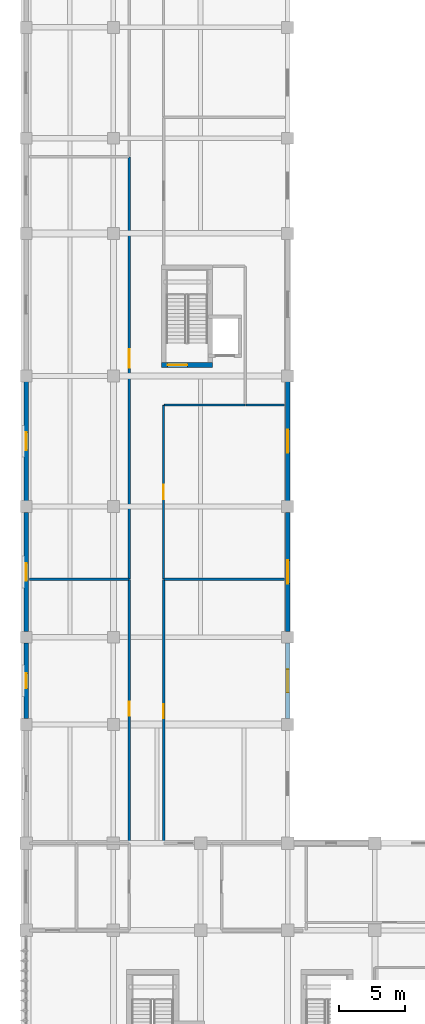
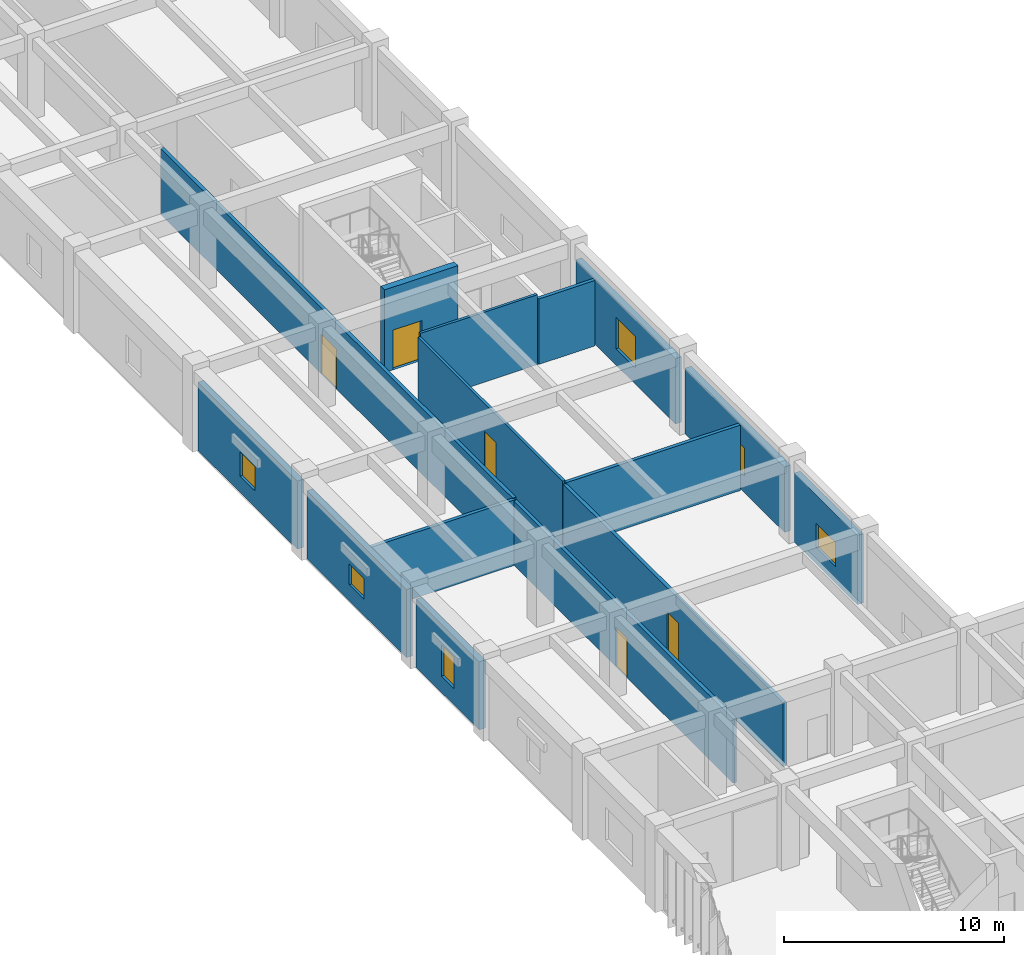
# One storey, part 50 of 68: 15 walls, 6 windows, 5 doors, 11 openings.
"""IFC4 building model written with IfcOpenShell, lengths in metres."""

from ifc_helpers import new_model, si_unit, direction, frame, frame_2d, origin, place, context, subcontext, project, spatial, rectangle, extrude, material, layer, layer_set, type_object, element, fill, save


model = new_model("IFC4")

# Units and contexts
model_context = context("Model", 3, precision=1e-05, world=origin(), true_north=direction((0.0, 1.0)))
body_context = subcontext(model_context, "Body", "Model", "MODEL_VIEW")
ifc_project = project(units=[si_unit("LENGTHUNIT", "METRE"), si_unit("AREAUNIT", "SQUARE_METRE"), si_unit("VOLUMEUNIT", "CUBIC_METRE"), si_unit("PLANEANGLEUNIT", "RADIAN"), si_unit("MASSUNIT", "GRAM", prefix="KILO")], contexts=[model_context])

# Site, building, storey
site_placement = place(None, origin())
site = spatial("IfcSite", under=ifc_project, at=site_placement, CompositionType="ELEMENT")
building_placement = place(site_placement, origin())
building = spatial("IfcBuilding", under=site, at=building_placement, Name="Miralva Faculty of Natural Sciences", CompositionType="ELEMENT")
storey_placement = place(building_placement, frame((0.0, 0.0, 5.39990234375)))
storey = spatial("IfcBuildingStorey", under=building, at=storey_placement, Name="L01", CompositionType="ELEMENT", Elevation=5.39990234375)

# Wall, opening, door
ifc_material_1 = material(Name="Concrete C50/60", Category="concrete")
ifc_layer_1 = layer(ifc_material_1, 0.35009765625, Name="WL-CW02")
ifc_layer_set_1 = layer_set([ifc_layer_1], Name="Concrete C50/60")
wall_type_1 = type_object("IfcWallType", Name="WL-CW02", PredefinedType="SHEAR", material=ifc_layer_set_1)
wall_1_placement = place(storey_placement, frame((13.25, 66.22509765625, 0.0), z_axis=(0.0, 0.0, 1.0), x_axis=(1.0, 0.0, 0.0)))
wall_1 = element("IfcWall", 1, at=wall_1_placement, inside=storey, type_object=wall_type_1, Name="Core C2 shear wall south L01", PredefinedType="SHEAR", context=body_context, shape_type="SweptSolid", body=[
    extrude(rectangle(XDim=3.85009765625, YDim=0.35009765625, at=frame_2d((1.925048828125, 0.0))), origin(), (0.0, 0.0, 1.0), 4.580078125),
])
opening_1_placement = place(wall_1_placement, frame((0.449951171875, 0.0, 0.0)))
opening_1 = element("IfcOpeningElement", 2, at=opening_1_placement, cuts=wall_1, Name="Opening D-11", PredefinedType="OPENING", context=body_context, shape_type="SweptSolid", body=[
    extrude(rectangle(XDim=1.5, YDim=2.199951171875, at=frame_2d((0.75, 1.10009765625))), frame((0.0, 0.18505859375, 0.0), z_axis=(0.0, -1.0, 0.0), x_axis=(1.0, 0.0, 0.0)), (0.0, 0.0, 1.0), 0.3701171875),
])
ifc_material_2 = material(Name="Galvanised steel", Category="steel")
door_type_1 = type_object("IfcDoorType", Name="DR-DI11", OperationType="DOUBLE_DOOR_SINGLE_SWING", PredefinedType="DOOR", material=ifc_material_2)
door_1_placement = place(opening_1_placement, frame((1.5, 0.0, 0.0), z_axis=(0.0, 0.0, 1.0), x_axis=(-1.0, 0.0, 0.0)))
door_1 = element("IfcDoor", 3, at=door_1_placement, inside=storey, type_object=door_type_1, Name="Protected exit stair door Core C2 L01", OperationType="DOUBLE_DOOR_SINGLE_SWING", OverallHeight=2.199951171875, OverallWidth=1.5, PredefinedType="DOOR", context=body_context, shape_type="SweptSolid", body=[
    extrude(rectangle(XDim=1.5, YDim=2.199951171875, at=frame_2d((0.75, 1.10009765625))), frame((0.0, 0.02490234375, 0.0), z_axis=(0.0, -1.0, 0.0), x_axis=(1.0, 0.0, 0.0)), (0.0, 0.0, 1.0), 0.050048828125),
])
fill(opening_1, door_1)

# Wall
ifc_material_3 = material(Name="Gypsum plasterboard")
ifc_layer_2 = layer(ifc_material_3, 0.179931640625, Name="WL-PT02")
ifc_layer_set_2 = layer_set([ifc_layer_2], Name="Gypsum plasterboard")
wall_type_2 = type_object("IfcWallType", Name="WL-PT02", PredefinedType="PARTITIONING", material=ifc_layer_set_2)
wall_2_placement = place(storey_placement, frame((3.22998046875, 50.0, 0.0), z_axis=(0.0, 0.0, 1.0), x_axis=(1.0, 0.0, 0.0)))
element("IfcWall", 4, at=wall_2_placement, inside=storey, type_object=wall_type_2, Name="Interior partition PT-02 L01-217", PredefinedType="PARTITIONING", context=body_context, shape_type="SweptSolid", body=[
    extrude(rectangle(XDim=7.5400390625, YDim=0.179931640625, at=frame_2d((3.77001953125, 0.0))), origin(), (0.0, 0.0, 1.0), 3.625),
])

# Wall, opening, door
wall_3_placement = place(storey_placement, frame((10.800048828125, 30.030029296875, 0.0), z_axis=(0.0, 0.0, 1.0), x_axis=(0.0, 1.0, 0.0)))
wall_3 = element("IfcWall", 5, at=wall_3_placement, inside=storey, type_object=wall_type_2, Name="Interior partition PT-02 L01-218", PredefinedType="PARTITIONING", context=body_context, shape_type="SweptSolid", body=[
    extrude(rectangle(XDim=19.93994140625, YDim=0.179931640625, at=frame_2d((9.969970703125, 0.0))), origin(), (0.0, 0.0, 1.0), 3.55517578125),
])
opening_2_placement = place(wall_3_placement, frame((9.625, 0.0, 0.0)))
opening_2 = element("IfcOpeningElement", 6, at=opening_2_placement, cuts=wall_3, Name="Opening D-15", PredefinedType="OPENING", context=body_context, shape_type="SweptSolid", body=[
    extrude(rectangle(XDim=1.050048828125, YDim=2.199951171875, at=frame_2d((0.52490234375, 1.10009765625))), frame((0.0, 0.099853515625, 0.0), z_axis=(0.0, -1.0, 0.0), x_axis=(1.0, 0.0, 0.0)), (0.0, 0.0, 1.0), 0.199951171875),
])
door_type_2 = type_object("IfcDoorType", Name="DR-DI15", OperationType="NOTDEFINED", PredefinedType="DOOR", material=ifc_material_2)
door_2_placement = place(opening_2_placement, origin())
door_2 = element("IfcDoor", 7, at=door_2_placement, inside=storey, type_object=door_type_2, Name="Interior door D-15 L01-81", OperationType="SINGLE_SWING_LEFT", OverallHeight=2.199951171875, OverallWidth=1.050048828125, PredefinedType="DOOR", context=body_context, shape_type="SweptSolid", body=[
    extrude(rectangle(XDim=1.050048828125, YDim=2.199951171875, at=frame_2d((0.52490234375, 1.10009765625))), frame((0.0, 0.02490234375, 0.0), z_axis=(0.0, -1.0, 0.0), x_axis=(1.0, 0.0, 0.0)), (0.0, 0.0, 1.0), 0.050048828125),
])
fill(opening_2, door_2)

# Wall
wall_4_placement = place(storey_placement, frame((13.429931640625, 50.0, 0.0), z_axis=(0.0, 0.0, 1.0), x_axis=(1.0, 0.0, 0.0)))
element("IfcWall", 8, at=wall_4_placement, inside=storey, type_object=wall_type_2, Name="Interior partition PT-02 L01-219", PredefinedType="PARTITIONING", context=body_context, shape_type="SweptSolid", body=[
    extrude(rectangle(XDim=9.14013671875, YDim=0.179931640625, at=frame_2d((4.570068359375, 0.0))), origin(), (0.0, 0.0, 1.0), 3.625),
])

# Wall, opening, door
wall_5_placement = place(storey_placement, frame((13.39990234375, 30.030029296875, 0.0), z_axis=(0.0, 0.0, 1.0), x_axis=(0.0, 1.0, 0.0)))
wall_5 = element("IfcWall", 9, at=wall_5_placement, inside=storey, type_object=wall_type_2, Name="Interior partition PT-02 L01-220", PredefinedType="PARTITIONING", context=body_context, shape_type="SweptSolid", body=[
    extrude(rectangle(XDim=19.93994140625, YDim=0.179931640625, at=frame_2d((9.969970703125, 0.0))), origin(), (0.0, 0.0, 1.0), 3.55517578125),
])
opening_3_placement = place(wall_5_placement, frame((9.445068359375, 0.0, 0.0)))
opening_3 = element("IfcOpeningElement", 10, at=opening_3_placement, cuts=wall_5, Name="Opening D-15", PredefinedType="OPENING", context=body_context, shape_type="SweptSolid", body=[
    extrude(rectangle(XDim=1.050048828125, YDim=2.199951171875, at=frame_2d((0.52490234375, 1.10009765625))), frame((0.0, 0.099853515625, 0.0), z_axis=(0.0, -1.0, 0.0), x_axis=(1.0, 0.0, 0.0)), (0.0, 0.0, 1.0), 0.199951171875),
])
door_3_placement = place(opening_3_placement, origin())
door_3 = element("IfcDoor", 11, at=door_3_placement, inside=storey, type_object=door_type_2, Name="Interior door D-15 L01-82", OperationType="SINGLE_SWING_RIGHT", OverallHeight=2.199951171875, OverallWidth=1.050048828125, PredefinedType="DOOR", context=body_context, shape_type="SweptSolid", body=[
    extrude(rectangle(XDim=1.050048828125, YDim=2.199951171875, at=frame_2d((0.52490234375, 1.10009765625))), frame((0.0, 0.02490234375, 0.0), z_axis=(0.0, -1.0, 0.0), x_axis=(1.0, 0.0, 0.0)), (0.0, 0.0, 1.0), 0.050048828125),
])
fill(opening_3, door_3)

# Wall
wall_6_placement = place(storey_placement, frame((19.6298828125, 63.199951171875, 0.0), z_axis=(0.0, 0.0, 1.0), x_axis=(1.0, 0.0, 0.0)))
element("IfcWall", 12, at=wall_6_placement, inside=storey, type_object=wall_type_2, Name="Interior partition PT-02 L01-221", PredefinedType="PARTITIONING", context=body_context, shape_type="SweptSolid", body=[
    extrude(rectangle(XDim=2.940185546875, YDim=0.179931640625, at=frame_2d((1.47021484375, 0.0))), origin(), (0.0, 0.0, 1.0), 3.625),
])

# Wall, opening, door
wall_7_placement = place(storey_placement, frame((10.800048828125, 50.030029296875, 0.0), z_axis=(0.0, 0.0, 1.0), x_axis=(0.0, 1.0, 0.0)))
wall_7 = element("IfcWall", 13, at=wall_7_placement, inside=storey, type_object=wall_type_2, Name="Interior partition PT-02 L01-225", PredefinedType="PARTITIONING", context=body_context, shape_type="SweptSolid", body=[
    extrude(rectangle(XDim=31.93994140625, YDim=0.179931640625, at=frame_2d((15.969970703125, 0.0))), origin(), (0.0, 0.0, 1.0), 3.655029296875),
])
opening_4_placement = place(wall_7_placement, frame((15.989990234375, 0.0, 0.0)))
opening_4 = element("IfcOpeningElement", 14, at=opening_4_placement, cuts=wall_7, Name="Opening D-14", PredefinedType="OPENING", context=body_context, shape_type="SweptSolid", body=[
    extrude(rectangle(XDim=1.39990234375, YDim=2.199951171875, at=frame_2d((0.699951171875, 1.10009765625))), frame((0.0, 0.099853515625, 0.0), z_axis=(0.0, -1.0, 0.0), x_axis=(1.0, 0.0, 0.0)), (0.0, 0.0, 1.0), 0.199951171875),
])
door_type_3 = type_object("IfcDoorType", Name="DR-DI14", OperationType="DOUBLE_DOOR_SINGLE_SWING", PredefinedType="DOOR", material=ifc_material_2)
door_4_placement = place(opening_4_placement, origin())
door_4 = element("IfcDoor", 15, at=door_4_placement, inside=storey, type_object=door_type_3, Name="Interior door D-14 L01-84", OperationType="DOUBLE_DOOR_SINGLE_SWING", OverallHeight=2.199951171875, OverallWidth=1.39990234375, PredefinedType="DOOR", context=body_context, shape_type="SweptSolid", body=[
    extrude(rectangle(XDim=1.39990234375, YDim=2.199951171875, at=frame_2d((0.699951171875, 1.10009765625))), frame((0.0, 0.02490234375, 0.0), z_axis=(0.0, -1.0, 0.0), x_axis=(1.0, 0.0, 0.0)), (0.0, 0.0, 1.0), 0.050048828125),
])
fill(opening_4, door_4)

ifc_layer_3 = layer(ifc_material_3, 0.139892578125, Name="WL-PT04")
ifc_layer_set_3 = layer_set([ifc_layer_3], Name="Gypsum plasterboard")
wall_type_3 = type_object("IfcWallType", Name="WL-PT04", PredefinedType="PARTITIONING", material=ifc_layer_set_3)
wall_8_placement = place(storey_placement, frame((13.39990234375, 50.030029296875, 0.0), z_axis=(0.0, 0.0, 1.0), x_axis=(0.0, 1.0, 0.0)))
wall_8 = element("IfcWall", 16, at=wall_8_placement, inside=storey, type_object=wall_type_3, Name="Interior partition PT-04 L01-222", PredefinedType="PARTITIONING", context=body_context, shape_type="SweptSolid", body=[
    extrude(rectangle(XDim=13.139892578125, YDim=0.139892578125, at=frame_2d((6.56982421875, 0.0))), origin(), (0.0, 0.0, 1.0), 3.675048828125),
])
opening_5_placement = place(wall_8_placement, frame((6.030029296875, 0.0, 0.0)))
opening_5 = element("IfcOpeningElement", 17, at=opening_5_placement, cuts=wall_8, Name="Opening D-32", PredefinedType="OPENING", context=body_context, shape_type="SweptSolid", body=[
    extrude(rectangle(XDim=1.080078125, YDim=2.14990234375, at=frame_2d((0.5400390625, 1.074951171875))), frame((0.0, 0.079833984375, 0.0), z_axis=(0.0, -1.0, 0.0), x_axis=(1.0, 0.0, 0.0)), (0.0, 0.0, 1.0), 0.159912109375),
])
ifc_material_4 = material(Name="Anodised aluminium", Category="aluminium")
door_type_4 = type_object("IfcDoorType", Name="DR-DI32", OperationType="NOTDEFINED", PredefinedType="DOOR", material=ifc_material_4)
door_5_placement = place(opening_5_placement, origin())
door_5 = element("IfcDoor", 18, at=door_5_placement, inside=storey, type_object=door_type_4, Name="Interior door D-32 L01-83", OperationType="SINGLE_SWING_LEFT", OverallHeight=2.14990234375, OverallWidth=1.080078125, PredefinedType="DOOR", context=body_context, shape_type="SweptSolid", body=[
    extrude(rectangle(XDim=1.080078125, YDim=2.14990234375, at=frame_2d((0.5400390625, 1.074951171875))), frame((0.0, 0.02490234375, 0.0), z_axis=(0.0, -1.0, 0.0), x_axis=(1.0, 0.0, 0.0)), (0.0, 0.0, 1.0), 0.050048828125),
])
fill(opening_5, door_5)

# Wall
wall_9_placement = place(storey_placement, frame((13.455078125, 63.199951171875, 0.0), z_axis=(0.0, 0.0, 1.0), x_axis=(1.0, 0.0, 0.0)))
element("IfcWall", 19, at=wall_9_placement, inside=storey, type_object=wall_type_3, Name="Interior partition PT-04 L01-223", PredefinedType="PARTITIONING", context=body_context, shape_type="SweptSolid", body=[
    extrude(rectangle(XDim=6.114990234375, YDim=0.139892578125, at=frame_2d((3.0576171875, 0.0))), origin(), (0.0, 0.0, 1.0), 3.875),
])

# Wall, opening, window
ifc_material_5 = material(Name="Precast concrete C40/50", Category="concrete")
ifc_layer_4 = layer(ifc_material_5, 0.320068359375, Name="WL-WT02")
ifc_layer_set_4 = layer_set([ifc_layer_4], Name="Precast concrete C40/50")
wall_type_4 = type_object("IfcWallType", Name="WL-WT02", PredefinedType="SOLIDWALL", material=ifc_layer_set_4)
wall_10_placement = place(storey_placement, frame((3.0, 39.43505859375, 0.0), z_axis=(0.0, 0.0, 1.0), x_axis=(0.0, 1.0, 0.0)))
wall_10 = element("IfcWall", 20, at=wall_10_placement, inside=storey, type_object=wall_type_4, Name="Exterior wall L01-178", PredefinedType="SOLIDWALL", context=body_context, shape_type="SweptSolid", body=[
    extrude(rectangle(XDim=5.72998046875, YDim=0.320068359375, at=frame_2d((2.864990234375, 0.0))), origin(), (0.0, 0.0, 1.0), 3.775146484375),
])
opening_6_placement = place(wall_10_placement, frame((2.2900390625, 0.0, 0.89990234375)))
opening_6 = element("IfcOpeningElement", 21, at=opening_6_placement, cuts=wall_10, Name="Opening W-52", PredefinedType="OPENING", context=body_context, shape_type="SweptSolid", body=[
    extrude(rectangle(XDim=1.14990234375, YDim=1.75, at=frame_2d((0.574951171875, 0.875))), frame((0.0, 0.169921875, 0.0), z_axis=(0.0, -1.0, 0.0), x_axis=(1.0, 0.0, 0.0)), (0.0, 0.0, 1.0), 0.340087890625),
])
ifc_material_6 = material(Name="Laminated solar-control glass", Category="glass")
window_type_1 = type_object("IfcWindowType", Name="WN-W52", PartitioningType="DOUBLE_PANEL_VERTICAL", PredefinedType="WINDOW", material=ifc_material_6)
window_1_placement = place(opening_6_placement, origin())
window_1 = element("IfcWindow", 22, at=window_1_placement, inside=storey, type_object=window_type_1, Name="Window W-52 L01-115", OverallHeight=1.75, OverallWidth=1.14990234375, PartitioningType="DOUBLE_PANEL_VERTICAL", PredefinedType="WINDOW", context=body_context, shape_type="SweptSolid", body=[
    extrude(rectangle(XDim=1.14990234375, YDim=1.75, at=frame_2d((0.574951171875, 0.875))), frame((0.0, 0.030029296875, 0.0), z_axis=(0.0, -1.0, 0.0), x_axis=(1.0, 0.0, 0.0)), (0.0, 0.0, 1.0), 0.06005859375),
])
fill(opening_6, window_1)

wall_11_placement = place(storey_placement, frame((3.0, 46.034912109375, 0.0), z_axis=(0.0, 0.0, 1.0), x_axis=(0.0, 1.0, 0.0)))
wall_11 = element("IfcWall", 23, at=wall_11_placement, inside=storey, type_object=wall_type_4, Name="Exterior wall L01-179", PredefinedType="SOLIDWALL", context=body_context, shape_type="SweptSolid", body=[
    extrude(rectangle(XDim=9.030029296875, YDim=0.320068359375, at=frame_2d((4.51513671875, 0.0))), origin(), (0.0, 0.0, 1.0), 3.775146484375),
])
opening_7_placement = place(wall_11_placement, frame((3.840087890625, 0.0, 0.89990234375)))
opening_7 = element("IfcOpeningElement", 24, at=opening_7_placement, cuts=wall_11, Name="Opening W-53", PredefinedType="OPENING", context=body_context, shape_type="SweptSolid", body=[
    extrude(rectangle(XDim=1.35009765625, YDim=1.14990234375, at=frame_2d((0.675048828125, 0.574951171875))), frame((0.0, 0.169921875, 0.0), z_axis=(0.0, -1.0, 0.0), x_axis=(1.0, 0.0, 0.0)), (0.0, 0.0, 1.0), 0.340087890625),
])
window_type_2 = type_object("IfcWindowType", Name="WN-W53", PartitioningType="DOUBLE_PANEL_VERTICAL", PredefinedType="WINDOW", material=ifc_material_6)
window_2_placement = place(opening_7_placement, origin())
window_2 = element("IfcWindow", 25, at=window_2_placement, inside=storey, type_object=window_type_2, Name="Window W-53 L01-116", OverallHeight=1.14990234375, OverallWidth=1.35009765625, PartitioningType="DOUBLE_PANEL_VERTICAL", PredefinedType="WINDOW", context=body_context, shape_type="SweptSolid", body=[
    extrude(rectangle(XDim=1.35009765625, YDim=1.14990234375, at=frame_2d((0.675048828125, 0.574951171875))), frame((0.0, 0.030029296875, 0.0), z_axis=(0.0, -1.0, 0.0), x_axis=(1.0, 0.0, 0.0)), (0.0, 0.0, 1.0), 0.06005859375),
])
fill(opening_7, window_2)

wall_12_placement = place(storey_placement, frame((3.0, 55.93505859375, 0.0), z_axis=(0.0, 0.0, 1.0), x_axis=(0.0, 1.0, 0.0)))
wall_12 = element("IfcWall", 26, at=wall_12_placement, inside=storey, type_object=wall_type_4, Name="Exterior wall L01-180", PredefinedType="SOLIDWALL", context=body_context, shape_type="SweptSolid", body=[
    extrude(rectangle(XDim=9.030029296875, YDim=0.320068359375, at=frame_2d((4.51513671875, 0.0))), origin(), (0.0, 0.0, 1.0), 3.775146484375),
])
opening_8_placement = place(wall_12_placement, frame((3.840087890625, 0.0, 0.89990234375)))
opening_8 = element("IfcOpeningElement", 27, at=opening_8_placement, cuts=wall_12, Name="Opening W-54", PredefinedType="OPENING", context=body_context, shape_type="SweptSolid", body=[
    extrude(rectangle(XDim=1.35009765625, YDim=1.35009765625, at=frame_2d((0.675048828125, 0.675048828125))), frame((0.0, 0.169921875, 0.0), z_axis=(0.0, -1.0, 0.0), x_axis=(1.0, 0.0, 0.0)), (0.0, 0.0, 1.0), 0.340087890625),
])
window_type_3 = type_object("IfcWindowType", Name="WN-W54", PartitioningType="DOUBLE_PANEL_VERTICAL", PredefinedType="WINDOW", material=ifc_material_6)
window_3_placement = place(opening_8_placement, origin())
window_3 = element("IfcWindow", 28, at=window_3_placement, inside=storey, type_object=window_type_3, Name="Window W-54 L01-117", OverallHeight=1.35009765625, OverallWidth=1.35009765625, PartitioningType="DOUBLE_PANEL_VERTICAL", PredefinedType="WINDOW", context=body_context, shape_type="SweptSolid", body=[
    extrude(rectangle(XDim=1.35009765625, YDim=1.35009765625, at=frame_2d((0.675048828125, 0.675048828125))), frame((0.0, 0.030029296875, 0.0), z_axis=(0.0, -1.0, 0.0), x_axis=(1.0, 0.0, 0.0)), (0.0, 0.0, 1.0), 0.06005859375),
])
fill(opening_8, window_3)

wall_13_placement = place(storey_placement, frame((22.800048828125, 39.43505859375, 0.0), z_axis=(0.0, 0.0, 1.0), x_axis=(0.0, 1.0, 0.0)))
wall_13 = element("IfcWall", 29, at=wall_13_placement, inside=storey, type_object=wall_type_4, Name="Exterior wall L01-188", PredefinedType="SOLIDWALL", context=body_context, shape_type="SweptSolid", body=[
    extrude(rectangle(XDim=5.72998046875, YDim=0.320068359375, at=frame_2d((2.864990234375, 0.0))), origin(), (0.0, 0.0, 1.0), 3.8251953125),
])
opening_9_placement = place(wall_13_placement, frame((1.989990234375, 0.0, 0.89990234375)))
opening_9 = element("IfcOpeningElement", 30, at=opening_9_placement, cuts=wall_13, Name="Opening W-62", PredefinedType="OPENING", context=body_context, shape_type="SweptSolid", body=[
    extrude(rectangle(XDim=1.75, YDim=1.35009765625, at=frame_2d((0.875, 0.675048828125))), frame((0.0, 0.169921875, 0.0), z_axis=(0.0, -1.0, 0.0), x_axis=(1.0, 0.0, 0.0)), (0.0, 0.0, 1.0), 0.340087890625),
])
window_type_4 = type_object("IfcWindowType", Name="WN-W62", PartitioningType="DOUBLE_PANEL_VERTICAL", PredefinedType="WINDOW", material=ifc_material_6)
window_4_placement = place(opening_9_placement, frame((1.75, 0.0, 0.0), z_axis=(0.0, 0.0, 1.0), x_axis=(-1.0, 0.0, 0.0)))
window_4 = element("IfcWindow", 31, at=window_4_placement, inside=storey, type_object=window_type_4, Name="Window W-62 L01-125", OverallHeight=1.35009765625, OverallWidth=1.75, PartitioningType="DOUBLE_PANEL_VERTICAL", PredefinedType="WINDOW", context=body_context, shape_type="SweptSolid", body=[
    extrude(rectangle(XDim=1.75, YDim=1.35009765625, at=frame_2d((0.875, 0.675048828125))), frame((0.0, 0.030029296875, 0.0), z_axis=(0.0, -1.0, 0.0), x_axis=(1.0, 0.0, 0.0)), (0.0, 0.0, 1.0), 0.06005859375),
])
fill(opening_9, window_4)

wall_14_placement = place(storey_placement, frame((22.800048828125, 46.034912109375, 0.0), z_axis=(0.0, 0.0, 1.0), x_axis=(0.0, 1.0, 0.0)))
wall_14 = element("IfcWall", 32, at=wall_14_placement, inside=storey, type_object=wall_type_4, Name="Exterior wall L01-189", PredefinedType="SOLIDWALL", context=body_context, shape_type="SweptSolid", body=[
    extrude(rectangle(XDim=9.030029296875, YDim=0.320068359375, at=frame_2d((4.51513671875, 0.0))), origin(), (0.0, 0.0, 1.0), 3.625),
])
opening_10_placement = place(wall_14_placement, frame((3.639892578125, 0.0, 0.89990234375)))
opening_10 = element("IfcOpeningElement", 33, at=opening_10_placement, cuts=wall_14, Name="Opening W-63", PredefinedType="OPENING", context=body_context, shape_type="SweptSolid", body=[
    extrude(rectangle(XDim=1.75, YDim=1.550048828125, at=frame_2d((0.875, 0.77490234375))), frame((0.0, 0.169921875, 0.0), z_axis=(0.0, -1.0, 0.0), x_axis=(1.0, 0.0, 0.0)), (0.0, 0.0, 1.0), 0.340087890625),
])
window_type_5 = type_object("IfcWindowType", Name="WN-W63", PartitioningType="DOUBLE_PANEL_VERTICAL", PredefinedType="WINDOW", material=ifc_material_6)
window_5_placement = place(opening_10_placement, frame((1.75, 0.0, 0.0), z_axis=(0.0, 0.0, 1.0), x_axis=(-1.0, 0.0, 0.0)))
window_5 = element("IfcWindow", 34, at=window_5_placement, inside=storey, type_object=window_type_5, Name="Window W-63 L01-126", OverallHeight=1.550048828125, OverallWidth=1.75, PartitioningType="DOUBLE_PANEL_VERTICAL", PredefinedType="WINDOW", context=body_context, shape_type="SweptSolid", body=[
    extrude(rectangle(XDim=1.75, YDim=1.550048828125, at=frame_2d((0.875, 0.77490234375))), frame((0.0, 0.030029296875, 0.0), z_axis=(0.0, -1.0, 0.0), x_axis=(1.0, 0.0, 0.0)), (0.0, 0.0, 1.0), 0.06005859375),
])
fill(opening_10, window_5)

wall_15_placement = place(storey_placement, frame((22.800048828125, 55.93505859375, 0.0), z_axis=(0.0, 0.0, 1.0), x_axis=(0.0, 1.0, 0.0)))
wall_15 = element("IfcWall", 35, at=wall_15_placement, inside=storey, type_object=wall_type_4, Name="Exterior wall L01-190", PredefinedType="SOLIDWALL", context=body_context, shape_type="SweptSolid", body=[
    extrude(rectangle(XDim=9.030029296875, YDim=0.320068359375, at=frame_2d((4.51513671875, 0.0))), origin(), (0.0, 0.0, 1.0), 3.625),
])
opening_11_placement = place(wall_15_placement, frame((3.639892578125, 0.0, 0.89990234375)))
opening_11 = element("IfcOpeningElement", 36, at=opening_11_placement, cuts=wall_15, Name="Opening W-64", PredefinedType="OPENING", context=body_context, shape_type="SweptSolid", body=[
    extrude(rectangle(XDim=1.75, YDim=1.75, at=frame_2d((0.875, 0.875))), frame((0.0, 0.169921875, 0.0), z_axis=(0.0, -1.0, 0.0), x_axis=(1.0, 0.0, 0.0)), (0.0, 0.0, 1.0), 0.340087890625),
])
window_type_6 = type_object("IfcWindowType", Name="WN-W64", PartitioningType="DOUBLE_PANEL_VERTICAL", PredefinedType="WINDOW", material=ifc_material_6)
window_6_placement = place(opening_11_placement, frame((1.75, 0.0, 0.0), z_axis=(0.0, 0.0, 1.0), x_axis=(-1.0, 0.0, 0.0)))
window_6 = element("IfcWindow", 37, at=window_6_placement, inside=storey, type_object=window_type_6, Name="Window W-64 L01-127", OverallHeight=1.75, OverallWidth=1.75, PartitioningType="DOUBLE_PANEL_VERTICAL", PredefinedType="WINDOW", context=body_context, shape_type="SweptSolid", body=[
    extrude(rectangle(XDim=1.75, YDim=1.75, at=frame_2d((0.875, 0.875))), frame((0.0, 0.030029296875, 0.0), z_axis=(0.0, -1.0, 0.0), x_axis=(1.0, 0.0, 0.0)), (0.0, 0.0, 1.0), 0.06005859375),
])
fill(opening_11, window_6)

save(model, "model.ifc")
